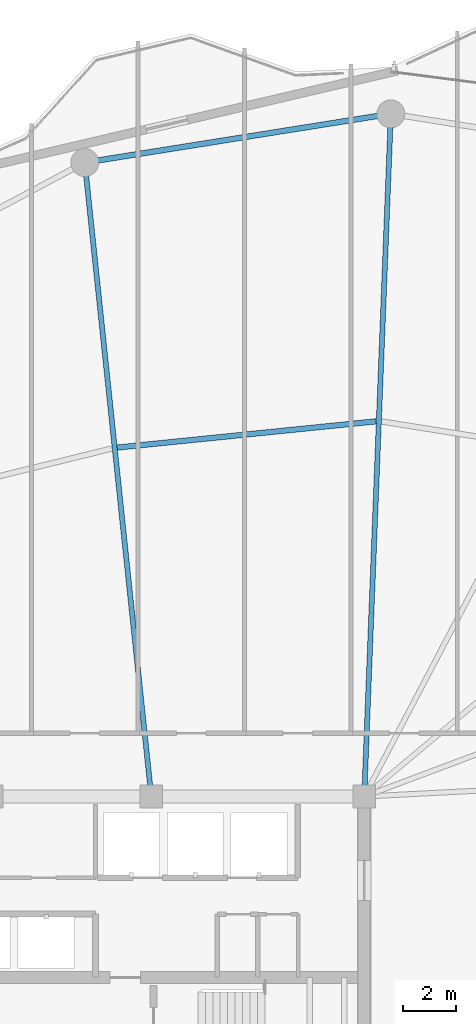
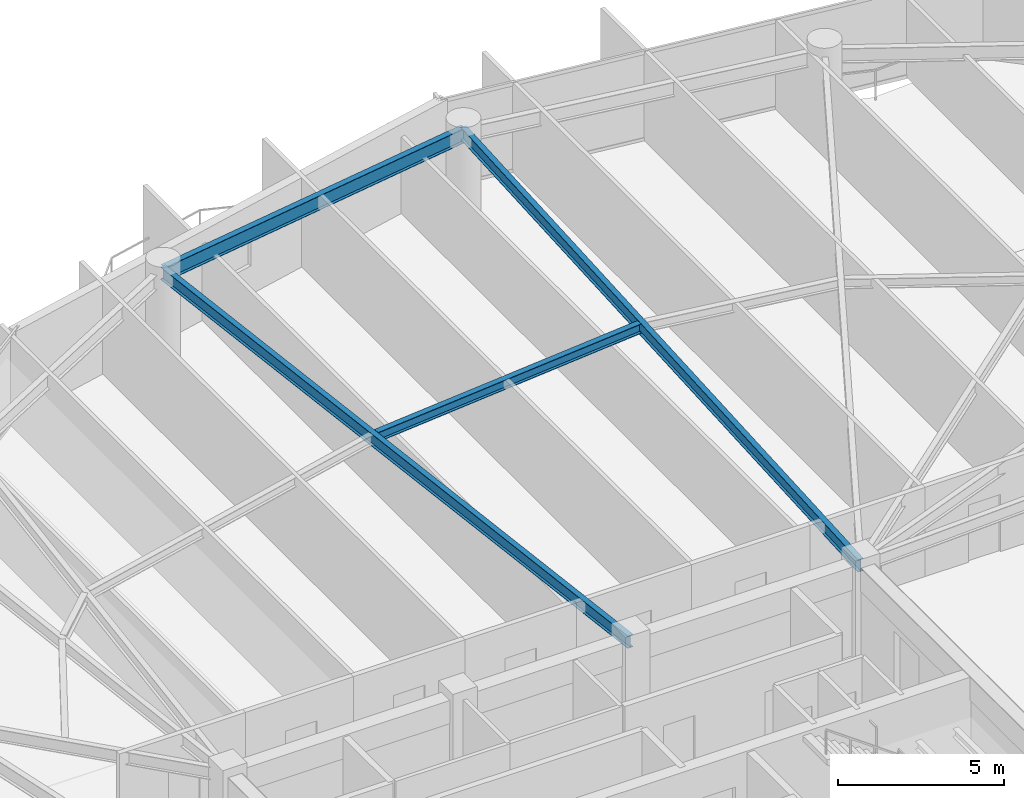
# One storey, part 19 of 31: 4 beams.
"""IFC4 building model written with IfcOpenShell, lengths in metres."""

from ifc_helpers import new_model, si_unit, direction, frame, origin, origin_2d, place, context, subcontext, project, spatial, i_section, extrude, material, material_profile, profile_set, type_object, element, save


model = new_model("IFC4")

# Units and contexts
model_context = context("Model", 3, precision=1e-05, world=origin(), true_north=direction((0.0, 1.0)))
body_context = subcontext(model_context, "Body", "Model", "MODEL_VIEW")
ifc_project = project(units=[si_unit("LENGTHUNIT", "METRE"), si_unit("AREAUNIT", "SQUARE_METRE"), si_unit("VOLUMEUNIT", "CUBIC_METRE"), si_unit("PLANEANGLEUNIT", "RADIAN"), si_unit("MASSUNIT", "GRAM", prefix="KILO")], contexts=[model_context])

# Site, building, storey
site_placement = place(None, origin())
site = spatial("IfcSite", under=ifc_project, at=site_placement, CompositionType="ELEMENT")
building_placement = place(site_placement, origin())
building = spatial("IfcBuilding", under=site, at=building_placement, Name="Kazevale Care Tower and Concert Hall", CompositionType="ELEMENT")
storey_placement = place(building_placement, frame((0.0, 0.0, 187.199951171875)))
storey = spatial("IfcBuildingStorey", under=building, at=storey_placement, Name="L49", CompositionType="ELEMENT", Elevation=187.199951171875)

# Beams
ifc_material = material(Name="Steel ASTM A572 Gr 50", Category="steel")
ifc_material_profile_1 = material_profile(ifc_material, i_section(OverallWidth=0.19091796875, OverallDepth=0.4599609375, WebThickness=0.010009765625, FlangeThickness=0.01611328125, at=origin_2d()), Name="W460x82")
ifc_profile_set_1 = profile_set([ifc_material_profile_1], Name="Steel ASTM A572 Gr 50")
beam_type_1 = type_object("IfcBeamType", Name="Radial Floor Beam W460x82", PredefinedType="BEAM", material=ifc_profile_set_1)
beam_1_placement = place(storey_placement, frame((44.0, 36.39990234375, 3.050048828125), z_axis=(0.03895653799, 0.999240905962, 0.0), x_axis=(-0.999240905962, 0.03895653799, 0.0)))
element("IfcBeam", 1, at=beam_1_placement, inside=storey, type_object=beam_type_1, Name="beam:L49:rad:05", PredefinedType="BEAM", context=body_context, shape_type="SweptSolid", body=[
    extrude(i_section(OverallWidth=0.19091796875, OverallDepth=0.4599609375, WebThickness=0.010009765625, FlangeThickness=0.01611328125, at=origin_2d()), origin(), (0.0, 0.0, 1.0), 25.669677734375),
])
beam_2_placement = place(storey_placement, frame((36.0, 36.39990234375, 3.050048828125), z_axis=(-0.104380207012, 0.994537466556, 0.0), x_axis=(-0.994537466556, -0.104380207012, 0.0)))
element("IfcBeam", 2, at=beam_2_placement, inside=storey, type_object=beam_type_1, Name="beam:L49:rad:06", PredefinedType="BEAM", context=body_context, shape_type="SweptSolid", body=[
    extrude(i_section(OverallWidth=0.19091796875, OverallDepth=0.4599609375, WebThickness=0.010009765625, FlangeThickness=0.01611328125, at=origin_2d()), origin(), (0.0, 0.0, 1.0), 23.950927734375),
])
ifc_material_profile_2 = material_profile(ifc_material, i_section(OverallWidth=0.205078125, OverallDepth=0.35400390625, WebThickness=0.009521484375, FlangeThickness=0.016845703125, at=origin_2d()), Name="W360x79")
ifc_profile_set_2 = profile_set([ifc_material_profile_2], Name="Steel ASTM A572 Gr 50")
beam_type_2 = type_object("IfcBeamType", Name="Secondary Floor Joist W360x79", PredefinedType="JOIST", material=ifc_profile_set_2)
beam_3_placement = place(storey_placement, frame((44.446044921875, 50.4970703125, 3.10302734375), z_axis=(-0.994900388447, -0.10086236696, 0.0), x_axis=(0.10086236696, -0.994900388447, 0.0)))
element("IfcBeam", 3, at=beam_3_placement, inside=storey, type_object=beam_type_2, Name="beam:L49:joist:05", PredefinedType="JOIST", context=body_context, shape_type="SweptSolid", body=[
    extrude(i_section(OverallWidth=0.205078125, OverallDepth=0.35400390625, WebThickness=0.009521484375, FlangeThickness=0.016845703125, at=origin_2d()), origin(), (0.0, 0.0, 1.0), 9.766845703125),
])
ifc_material_profile_3 = material_profile(ifc_material, i_section(OverallWidth=0.208984375, OverallDepth=0.532958984375, WebThickness=0.01025390625, FlangeThickness=0.015625, at=origin_2d()), Name="W530x92")
ifc_profile_set_3 = profile_set([ifc_material_profile_3], Name="Steel ASTM A572 Gr 50")
beam_type_3 = type_object("IfcBeamType", Name="Upper Ring Beam W530x92", PredefinedType="BEAM", material=ifc_profile_set_3)
beam_4_placement = place(storey_placement, frame((45.0, 62.050048828125, 3.013427734375), z_axis=(-0.987573207584, -0.15715966296, 0.0), x_axis=(0.15715966296, -0.987573207584, 0.0)))
element("IfcBeam", 4, at=beam_4_placement, inside=storey, type_object=beam_type_3, Name="beam:L49:ring:05", PredefinedType="BEAM", context=body_context, shape_type="SweptSolid", body=[
    extrude(i_section(OverallWidth=0.208984375, OverallDepth=0.532958984375, WebThickness=0.01025390625, FlangeThickness=0.015625, at=origin_2d()), origin(), (0.0, 0.0, 1.0), 11.644775390625),
])

save(model, "model.ifc")
